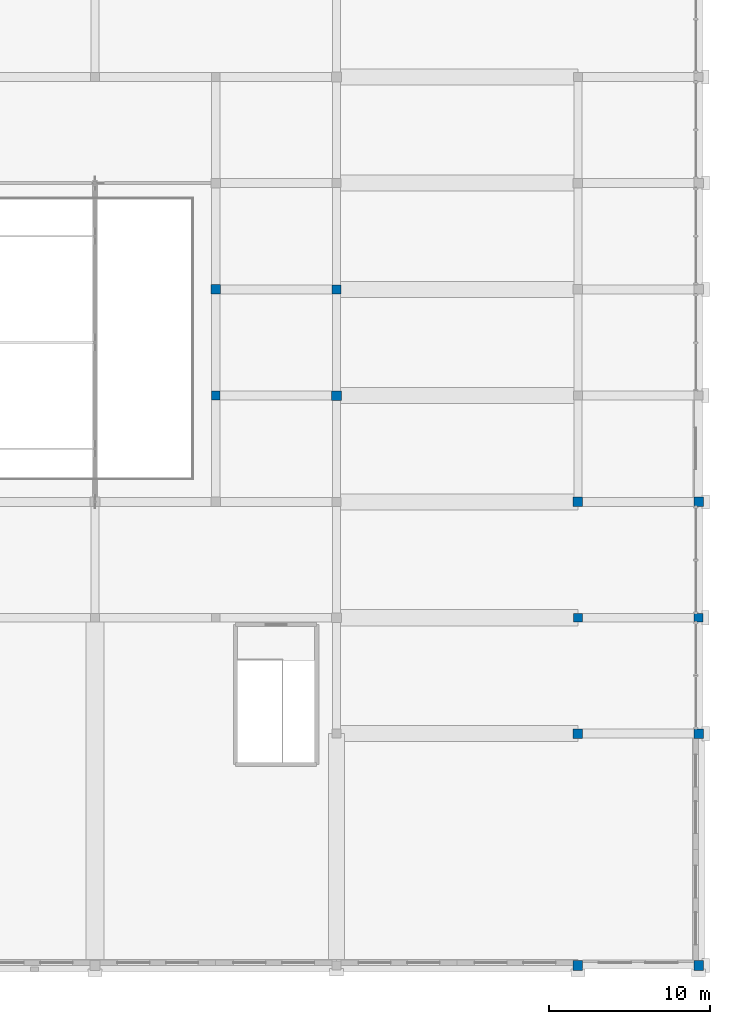
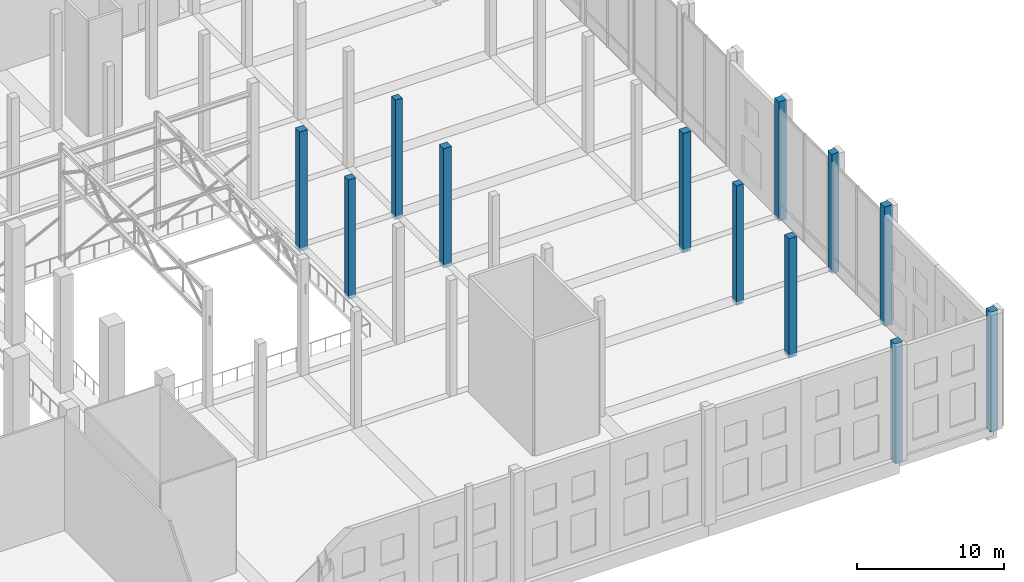
# One storey, part 5 of 80: 12 columns.
"""IFC4 building model written with IfcOpenShell, lengths in metres."""

import ifcopenshell
import ifcopenshell.guid

model = None  # the IFC model being written
_history = None  # IfcOwnerHistory: only IFC2X3 demands one
_inside = {}  # id of a spatial element -> (the spatial element, [elements in it])
_under = {}  # id of a project, library or spatial element -> (it, [spatial elements below it])
_declared = {}  # id of a project -> (the project, [libraries it declares])
_typed = {}  # id of a type object -> (the type object, [elements of that type])
_made_of = {}  # id of a material, layer set ... -> (it, [elements and type objects made of it])


def new_model(schema):
    """Start an empty IFC model of exactly this schema.

    Asked for "IFC4X3", IfcOpenShell would pick the latest addendum, in which some entities
    have other attributes; the version numbers below select the first issue.
    IFC2X3 requires an IfcOwnerHistory on every rooted entity: one is made here for all.
    """
    global model, _history
    if schema == "IFC4X3":
        model = ifcopenshell.file(schema_version=(4, 3, 0, 0))
    else:
        model = ifcopenshell.file(schema=schema)
    _inside.clear()
    _under.clear()
    _declared.clear()
    _typed.clear()
    _made_of.clear()
    _history = None
    if model.schema == "IFC2X3":
        org = make("IfcOrganization", Name="unknown")
        user = make(
            "IfcPersonAndOrganization",
            ThePerson=make("IfcPerson", FamilyName="unknown"),
            TheOrganization=org,
        )
        app = make(
            "IfcApplication",
            ApplicationDeveloper=org,
            Version="unknown",
            ApplicationFullName="unknown",
            ApplicationIdentifier="unknown",
        )
        _history = make(
            "IfcOwnerHistory",
            OwningUser=user,
            OwningApplication=app,
            ChangeAction="ADDED",
            CreationDate=0,
        )
    return model


def make(cls, **values):
    """One entity of the class cls with the attributes given. An attribute that is None is left unset."""
    return model.create_entity(
        cls, **{name: value for name, value in values.items() if value is not None}
    )


def rooted(cls, **values):
    """An entity with a GlobalId (a new one), such as an element, a storey or a relation."""
    return make(cls, GlobalId=ifcopenshell.guid.new(), OwnerHistory=_history, **values)


def si_unit(unit_type, name, prefix=None):
    """IfcSIUnit, for example si_unit("LENGTHUNIT", "METRE", prefix="MILLI")."""
    return make("IfcSIUnit", UnitType=unit_type, Prefix=prefix, Name=name)


def assignment(units):
    """IfcUnitAssignment: the units of a project."""
    return None if units is None else make("IfcUnitAssignment", Units=units)


def point(xyz):
    """IfcCartesianPoint."""
    return None if xyz is None else make("IfcCartesianPoint", Coordinates=xyz)


def direction(xyz):
    """IfcDirection."""
    return None if xyz is None else make("IfcDirection", DirectionRatios=xyz)


def frame(location, z_axis=None, x_axis=None):
    """IfcAxis2Placement3D, a coordinate frame: its origin and axes. An axis left out is left unset."""
    return make(
        "IfcAxis2Placement3D",
        Location=point(location),
        Axis=direction(z_axis),
        RefDirection=direction(x_axis),
    )


def frame_2d(location, x_axis=None):
    """IfcAxis2Placement2D, a coordinate frame in the plane: its origin and x axis."""
    return make(
        "IfcAxis2Placement2D", Location=point(location), RefDirection=direction(x_axis)
    )


def origin():
    """The frame at (0, 0, 0) with its axes left unset."""
    return frame((0.0, 0.0, 0.0))


def origin_2d():
    """The frame at (0, 0) in the plane with its x axis left unset."""
    return frame_2d((0.0, 0.0))


def place(relative_to, where):
    """IfcLocalPlacement: puts the frame where relative to a parent placement (None: the world)."""
    return make(
        "IfcLocalPlacement", PlacementRelTo=relative_to, RelativePlacement=where
    )


def context(
    kind, dimensions, precision=None, world=None, true_north=None, identifier=None
):
    """IfcGeometricRepresentationContext, for example the 3D "Model" context."""
    return make(
        "IfcGeometricRepresentationContext",
        ContextIdentifier=identifier,
        ContextType=kind,
        CoordinateSpaceDimension=dimensions,
        Precision=precision,
        WorldCoordinateSystem=world,
        TrueNorth=true_north,
    )


def subcontext(parent, identifier, kind, view, scale=None):
    """IfcGeometricRepresentationSubContext, for example "Body" below "Model"."""
    return make(
        "IfcGeometricRepresentationSubContext",
        ContextIdentifier=identifier,
        ContextType=kind,
        ParentContext=parent,
        TargetScale=scale,
        TargetView=view,
    )


def project(units=None, contexts=None):
    """IfcProject with its units and contexts."""
    return rooted(
        "IfcProject",
        Name="project",
        RepresentationContexts=contexts,
        UnitsInContext=assignment(units),
    )


def spatial(cls, under=None, at=None, **own):
    """A site, building, storey or space (cls), placed at a placement, below another one or the project."""
    s = rooted(cls, ObjectPlacement=at, **own)
    if under is not None:
        _under.setdefault(under.id(), (under, []))[1].append(s)
    return s


def profile(cls, at=None, kind="AREA", **sizes):
    """A parametric profile (cls). Its sizes go by their IFC names, for example OverallWidth=200.0."""
    return make(cls, ProfileType=kind, Position=at, **sizes)


def rectangle(**sizes):
    """IfcRectangleProfileDef."""
    return profile("IfcRectangleProfileDef", **sizes)


def extrude(swept, where, along, depth):
    """IfcExtrudedAreaSolid: the profile swept, set in the frame where, extruded along a direction by depth."""
    return make(
        "IfcExtrudedAreaSolid",
        SweptArea=swept,
        Position=where,
        ExtrudedDirection=direction(along),
        Depth=depth,
    )


def shape(context_of_items, identifier, shape_type, items):
    """IfcShapeRepresentation: the items that make up one representation, for example the "Body"."""
    return make(
        "IfcShapeRepresentation",
        ContextOfItems=context_of_items,
        RepresentationIdentifier=identifier,
        RepresentationType=shape_type,
        Items=items,
    )


def material(Name=None, Category=None):
    """IfcMaterial."""
    return make("IfcMaterial", Name=Name, Category=Category)


def material_profile(
    of_material, cross_section, Name=None, Category=None, Priority=None
):
    """IfcMaterialProfile: a cross section and its material."""
    return make(
        "IfcMaterialProfile",
        Name=Name,
        Material=of_material,
        Profile=cross_section,
        Priority=Priority,
        Category=Category,
    )


def profile_set(profiles, Name=None, composite=None):
    """IfcMaterialProfileSet."""
    return make(
        "IfcMaterialProfileSet",
        Name=Name,
        MaterialProfiles=profiles,
        CompositeProfile=composite,
    )


def made_of(thing, what):
    """Note that an element or type object is made of a material, layer set ...; save() writes the relation."""
    if what is not None:
        _made_of.setdefault(what.id(), (what, []))[1].append(thing)
    return thing


def type_object(cls, material=None, **own):
    """A type object (cls), such as IfcWallType, which elements share."""
    return made_of(rooted(cls, **own), material)


def element(
    cls,
    number,
    at=None,
    inside=None,
    cuts=None,
    type_object=None,
    material=None,
    context=None,
    identifier="Body",
    shape_type=None,
    held_by="IfcProductDefinitionShape",
    body=None,
    shapes=None,
    **own,
):
    """One element of the class cls, such as IfcWall. Its Tag is "e" and its number.

    at: its placement. inside: the storey or other place that contains it. cuts: it is an
    opening in that element (IfcRelVoidsElement). A single representation is given by context,
    identifier, shape_type and body (its items); several are given by shapes. held_by: the class
    of the entity that holds the representations. save() writes the other relations.
    """
    e = rooted(cls, Tag="e%d" % number, ObjectPlacement=at, **own)
    if body is not None:
        shapes = [shape(context, identifier, shape_type, body)]
    if shapes is not None:
        e.Representation = make(held_by, Representations=shapes)
    if inside is not None:
        _inside.setdefault(inside.id(), (inside, []))[1].append(e)
    if cuts is not None:
        rooted(
            "IfcRelVoidsElement", RelatingBuildingElement=cuts, RelatedOpeningElement=e
        )
    if type_object is not None:
        _typed.setdefault(type_object.id(), (type_object, []))[1].append(e)
    return made_of(e, material)


def aggregate(whole, parts):
    """IfcRelAggregates: a whole, such as a stair, and the parts it consists of."""
    return rooted("IfcRelAggregates", RelatingObject=whole, RelatedObjects=parts)


def save(model, path):
    """Write the relations noted so far, then the file.

    IfcRelAggregates (storeys below a building ...), IfcRelContainedInSpatialStructure (elements
    in a storey), IfcRelDefinesByType, IfcRelAssociatesMaterial and IfcRelDeclares: one each for
    every whole, place, type object, material and project.
    """
    for whole, parts in _under.values():
        aggregate(whole, parts)
    for where, things in _inside.values():
        rooted(
            "IfcRelContainedInSpatialStructure",
            RelatedElements=things,
            RelatingStructure=where,
        )
    for kind, things in _typed.values():
        rooted("IfcRelDefinesByType", RelatedObjects=things, RelatingType=kind)
    for what, things in _made_of.values():
        rooted("IfcRelAssociatesMaterial", RelatedObjects=things, RelatingMaterial=what)
    for by, libraries in _declared.values():
        rooted("IfcRelDeclares", RelatingContext=by, RelatedDefinitions=libraries)
    model.write(path)


model = new_model("IFC4")

# Units and contexts
model_context = context("Model", 3, precision=1e-05, world=origin(), true_north=direction((0.0, 1.0)))
body_context = subcontext(model_context, "Body", "Model", "MODEL_VIEW")
ifc_project = project(units=[si_unit("LENGTHUNIT", "METRE"), si_unit("AREAUNIT", "SQUARE_METRE"), si_unit("VOLUMEUNIT", "CUBIC_METRE"), si_unit("PLANEANGLEUNIT", "RADIAN"), si_unit("MASSUNIT", "GRAM", prefix="KILO")], contexts=[model_context])

# Site, building, storey
site_placement = place(None, origin())
site = spatial("IfcSite", under=ifc_project, at=site_placement, CompositionType="ELEMENT")
building_placement = place(site_placement, origin())
building = spatial("IfcBuilding", under=site, at=building_placement, Name="Akrevak Sports Hall", CompositionType="ELEMENT")
storey_placement = place(building_placement, frame((0.0, 0.0, 14.0)))
storey = spatial("IfcBuildingStorey", under=building, at=storey_placement, Name="L03", CompositionType="ELEMENT", Elevation=14.0)

# Columns
ifc_material = material(Name="Concrete C40/50", Category="concrete")
ifc_material_profile_1 = material_profile(ifc_material, rectangle(XDim=0.550048828125, YDim=0.550048828125, at=origin_2d()), Name="RC 550x550", Category="concrete")
ifc_profile_set_1 = profile_set([ifc_material_profile_1], Name="Concrete C40/50")
column_type_1 = type_object("IfcColumnType", Name="STR-COL-RC550", PredefinedType="COLUMN", material=ifc_profile_set_1)
for number, where, z_axis, x_axis, name in (
    (1, (138.0, 35.39990234375, -0.280029296875), (0.0, 0.0, 1.0), (1.0, 0.0, 0.0), "Column 19/F (L03)"),
    (2, (145.5, 42.0, -0.280029296875), (0.0, 0.0, 1.0), (1.0, 0.0, 0.0), "Column 20/G (L03)"),
    (3, (160.5, 21.60009765625, -0.280029296875), (0.0, 0.0, 1.0), (1.0, 0.0, 0.0), "Column 22/D (L03)"),
    (4, (168.0, 21.60009765625, -0.280029296875), (0.0, 0.0, 1.0), (1.0, 0.0, 0.0), "Column 23/D (L03)"),
):
    element("IfcColumn", number, at=place(storey_placement, frame(where, z_axis=z_axis, x_axis=x_axis)), inside=storey, type_object=column_type_1, Name=name, PredefinedType="COLUMN", context=body_context, shape_type="SweptSolid", body=[
        extrude(rectangle(XDim=0.550048828125, YDim=0.550048828125, at=origin_2d()), origin(), (0.0, 0.0, 1.0), 9.929931640625),
    ])
ifc_material_profile_2 = material_profile(ifc_material, rectangle(XDim=0.60009765625, YDim=0.60009765625, at=origin_2d()), Name="RC 600x600", Category="concrete")
ifc_profile_set_2 = profile_set([ifc_material_profile_2], Name="Concrete C40/50")
column_type_2 = type_object("IfcColumnType", Name="STR-COL-RC600", PredefinedType="COLUMN", material=ifc_profile_set_2)
for number, where, z_axis, x_axis, name in (
    (5, (138.0, 42.0, -0.280029296875), (0.0, 0.0, 1.0), (1.0, 0.0, 0.0), "Column 19/G (L03)"),
    (6, (145.5, 35.39990234375, -0.280029296875), (0.0, 0.0, 1.0), (1.0, 0.0, 0.0), "Column 20/F (L03)"),
    (7, (160.5, 0.0, -0.280029296875), (0.0, 0.0, 1.0), (1.0, 0.0, 0.0), "Column 22/A (L03)"),
    (8, (160.5, 14.39990234375, -0.280029296875), (0.0, 0.0, 1.0), (1.0, 0.0, 0.0), "Column 22/C (L03)"),
    (9, (160.5, 28.800048828125, -0.280029296875), (0.0, 0.0, 1.0), (1.0, 0.0, 0.0), "Column 22/E (L03)"),
    (10, (168.0, 0.0, -0.280029296875), (0.0, 0.0, 1.0), (1.0, 0.0, 0.0), "Column 23/A (L03)"),
    (11, (168.0, 14.39990234375, -0.280029296875), (0.0, 0.0, 1.0), (1.0, 0.0, 0.0), "Column 23/C (L03)"),
    (12, (168.0, 28.800048828125, -0.280029296875), (0.0, 0.0, 1.0), (1.0, 0.0, 0.0), "Column 23/E (L03)"),
):
    element("IfcColumn", number, at=place(storey_placement, frame(where, z_axis=z_axis, x_axis=x_axis)), inside=storey, type_object=column_type_2, Name=name, PredefinedType="COLUMN", context=body_context, shape_type="SweptSolid", body=[
        extrude(rectangle(XDim=0.60009765625, YDim=0.60009765625, at=origin_2d()), origin(), (0.0, 0.0, 1.0), 9.929931640625),
    ])

save(model, "model.ifc")
